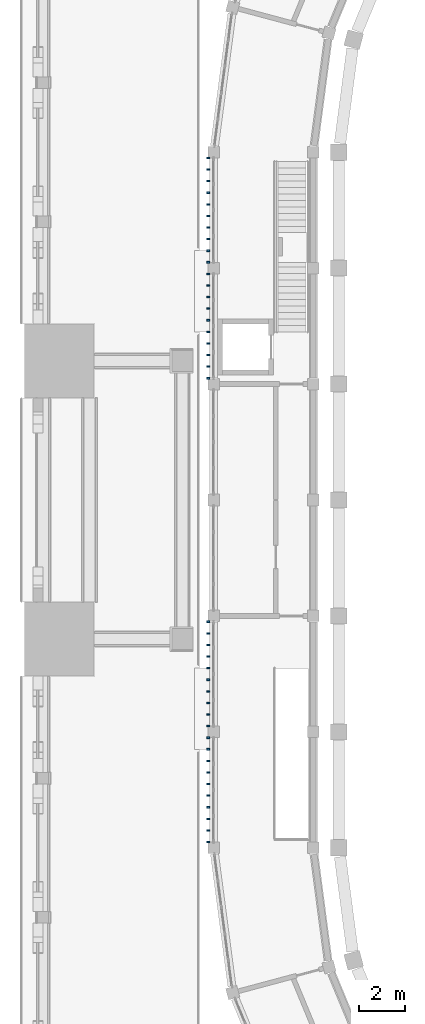
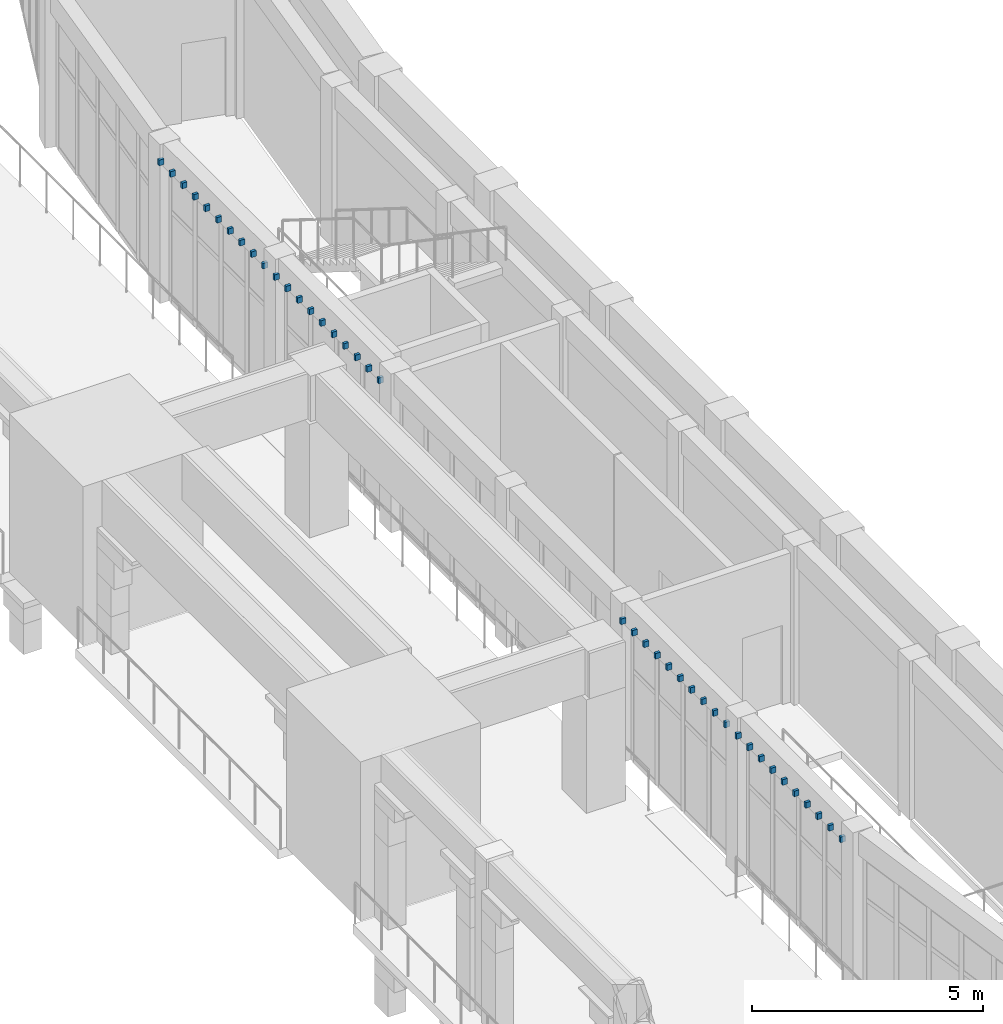
# One storey, part 74 of 99: 40 discrete accessories.
"""IFC4 building model written with IfcOpenShell, lengths in metres."""

from ifc_helpers import new_model, si_unit, direction, frame, origin, origin_2d, place, context, subcontext, project, spatial, rectangle, extrude, material, type_object, element, save


model = new_model("IFC4")

# Units and contexts
model_context = context("Model", 3, precision=1e-05, world=origin(), true_north=direction((0.0, 1.0)))
body_context = subcontext(model_context, "Body", "Model", "MODEL_VIEW")
ifc_project = project(units=[si_unit("LENGTHUNIT", "METRE"), si_unit("AREAUNIT", "SQUARE_METRE"), si_unit("VOLUMEUNIT", "CUBIC_METRE"), si_unit("PLANEANGLEUNIT", "RADIAN"), si_unit("MASSUNIT", "GRAM", prefix="KILO")], contexts=[model_context])

# Site, building, storey
site_placement = place(None, origin())
site = spatial("IfcSite", under=ifc_project, at=site_placement, CompositionType="ELEMENT")
building_placement = place(site_placement, origin())
building = spatial("IfcBuilding", under=site, at=building_placement, Name="Wasatch Bagh Community Centre", CompositionType="ELEMENT")
storey_placement = place(building_placement, frame((0.0, 0.0, 4.199951171875)))
storey = spatial("IfcBuildingStorey", under=building, at=storey_placement, Name="L01", CompositionType="ELEMENT", Elevation=4.199951171875)

# Discrete accessories
ifc_material = material(Name="ASTM A36 steel", Category="steel")
discrete_accessory_type = type_object("IfcDiscreteAccessoryType", Name="Drum fin bracket", PredefinedType="BRACKET", material=ifc_material)
for number, where, z_axis, x_axis, name in (
    (1, (11.614990234375, 64.75, 3.675048828125), (0.0, 0.0, 1.0), (0.0, -1.0, 0.0), "Fin bracket 31.1.2"),
    (2, (11.614990234375, 64.25, 3.675048828125), (0.0, 0.0, 1.0), (0.0, -1.0, 0.0), "Fin bracket 31.2.2"),
    (3, (11.614990234375, 63.75, 3.675048828125), (0.0, 0.0, 1.0), (0.0, -1.0, 0.0), "Fin bracket 31.3.2"),
    (4, (11.614990234375, 63.25, 3.675048828125), (0.0, 0.0, 1.0), (0.0, -1.0, 0.0), "Fin bracket 31.4.2"),
    (5, (11.614990234375, 62.75, 3.675048828125), (0.0, 0.0, 1.0), (0.0, -1.0, 0.0), "Fin bracket 31.5.2"),
    (6, (11.614990234375, 62.25, 3.675048828125), (0.0, 0.0, 1.0), (0.0, -1.0, 0.0), "Fin bracket 31.6.2"),
    (7, (11.614990234375, 61.75, 3.675048828125), (0.0, 0.0, 1.0), (0.0, -1.0, 0.0), "Fin bracket 31.7.2"),
    (8, (11.614990234375, 61.25, 3.675048828125), (0.0, 0.0, 1.0), (0.0, -1.0, 0.0), "Fin bracket 31.8.2"),
    (9, (11.614990234375, 60.75, 3.675048828125), (0.0, 0.0, 1.0), (0.0, -1.0, 0.0), "Fin bracket 31.9.2"),
    (10, (11.614990234375, 60.25, 3.675048828125), (0.0, 0.0, 1.0), (0.0, -1.0, 0.0), "Fin bracket 31.10.2"),
    (11, (11.614990234375, 59.75, 3.675048828125), (0.0, 0.0, 1.0), (0.0, -1.0, 0.0), "Fin bracket 32.1.2"),
    (12, (11.614990234375, 59.25, 3.675048828125), (0.0, 0.0, 1.0), (0.0, -1.0, 0.0), "Fin bracket 32.2.2"),
    (13, (11.614990234375, 58.75, 3.675048828125), (0.0, 0.0, 1.0), (0.0, -1.0, 0.0), "Fin bracket 32.3.2"),
    (14, (11.614990234375, 58.25, 3.675048828125), (0.0, 0.0, 1.0), (0.0, -1.0, 0.0), "Fin bracket 32.4.2"),
    (15, (11.614990234375, 57.75, 3.675048828125), (0.0, 0.0, 1.0), (0.0, -1.0, 0.0), "Fin bracket 32.5.2"),
    (16, (11.614990234375, 57.25, 3.675048828125), (0.0, 0.0, 1.0), (0.0, -1.0, 0.0), "Fin bracket 32.6.2"),
    (17, (11.614990234375, 56.75, 3.675048828125), (0.0, 0.0, 1.0), (0.0, -1.0, 0.0), "Fin bracket 32.7.2"),
    (18, (11.614990234375, 56.25, 3.675048828125), (0.0, 0.0, 1.0), (0.0, -1.0, 0.0), "Fin bracket 32.8.2"),
    (19, (11.614990234375, 55.75, 3.675048828125), (0.0, 0.0, 1.0), (0.0, -1.0, 0.0), "Fin bracket 32.9.2"),
    (20, (11.614990234375, 55.25, 3.675048828125), (0.0, 0.0, 1.0), (0.0, -1.0, 0.0), "Fin bracket 32.10.2"),
    (21, (11.614990234375, 44.75, 3.675048828125), (0.0, 0.0, 1.0), (0.0, -1.0, 0.0), "Fin bracket 35.1.2"),
    (22, (11.614990234375, 44.25, 3.675048828125), (0.0, 0.0, 1.0), (0.0, -1.0, 0.0), "Fin bracket 35.2.2"),
    (23, (11.614990234375, 43.75, 3.675048828125), (0.0, 0.0, 1.0), (0.0, -1.0, 0.0), "Fin bracket 35.3.2"),
    (24, (11.614990234375, 43.25, 3.675048828125), (0.0, 0.0, 1.0), (0.0, -1.0, 0.0), "Fin bracket 35.4.2"),
    (25, (11.614990234375, 42.75, 3.675048828125), (0.0, 0.0, 1.0), (0.0, -1.0, 0.0), "Fin bracket 35.5.2"),
    (26, (11.614990234375, 42.25, 3.675048828125), (0.0, 0.0, 1.0), (0.0, -1.0, 0.0), "Fin bracket 35.6.2"),
    (27, (11.614990234375, 41.75, 3.675048828125), (0.0, 0.0, 1.0), (0.0, -1.0, 0.0), "Fin bracket 35.7.2"),
    (28, (11.614990234375, 41.25, 3.675048828125), (0.0, 0.0, 1.0), (0.0, -1.0, 0.0), "Fin bracket 35.8.2"),
    (29, (11.614990234375, 40.75, 3.675048828125), (0.0, 0.0, 1.0), (0.0, -1.0, 0.0), "Fin bracket 35.9.2"),
    (30, (11.614990234375, 40.25, 3.675048828125), (0.0, 0.0, 1.0), (0.0, -1.0, 0.0), "Fin bracket 35.10.2"),
    (31, (11.614990234375, 39.75, 3.675048828125), (0.0, 0.0, 1.0), (0.0, -1.0, 0.0), "Fin bracket 36.1.2"),
    (32, (11.614990234375, 39.25, 3.675048828125), (0.0, 0.0, 1.0), (0.0, -1.0, 0.0), "Fin bracket 36.2.2"),
    (33, (11.614990234375, 38.75, 3.675048828125), (0.0, 0.0, 1.0), (0.0, -1.0, 0.0), "Fin bracket 36.3.2"),
    (34, (11.614990234375, 38.25, 3.675048828125), (0.0, 0.0, 1.0), (0.0, -1.0, 0.0), "Fin bracket 36.4.2"),
    (35, (11.614990234375, 37.75, 3.675048828125), (0.0, 0.0, 1.0), (0.0, -1.0, 0.0), "Fin bracket 36.5.2"),
    (36, (11.614990234375, 37.25, 3.675048828125), (0.0, 0.0, 1.0), (0.0, -1.0, 0.0), "Fin bracket 36.6.2"),
    (37, (11.614990234375, 36.75, 3.675048828125), (0.0, 0.0, 1.0), (0.0, -1.0, 0.0), "Fin bracket 36.7.2"),
    (38, (11.614990234375, 36.25, 3.675048828125), (0.0, 0.0, 1.0), (0.0, -1.0, 0.0), "Fin bracket 36.8.2"),
    (39, (11.614990234375, 35.75, 3.675048828125), (0.0, 0.0, 1.0), (0.0, -1.0, 0.0), "Fin bracket 36.9.2"),
    (40, (11.614990234375, 35.25, 3.675048828125), (0.0, 0.0, 1.0), (0.0, -1.0, 0.0), "Fin bracket 36.10.2"),
):
    element("IfcDiscreteAccessory", number, at=place(storey_placement, frame(where, z_axis=z_axis, x_axis=x_axis)), inside=storey, type_object=discrete_accessory_type, Name=name, PredefinedType="BRACKET", context=body_context, shape_type="SweptSolid", body=[
        extrude(rectangle(XDim=0.070068359375, YDim=0.1201171875, at=origin_2d()), origin(), (0.0, 0.0, 1.0), 0.14990234375),
    ])

save(model, "model.ifc")
